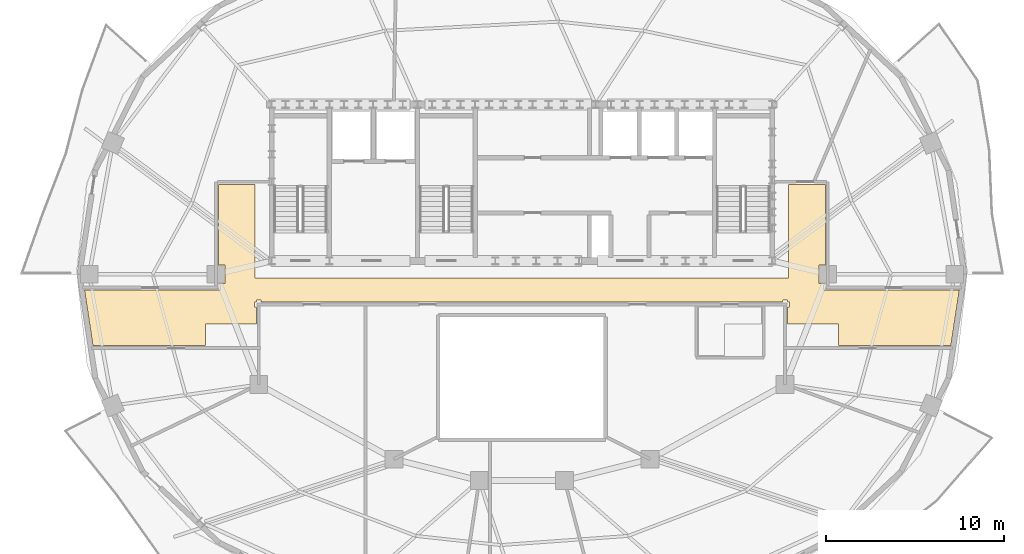
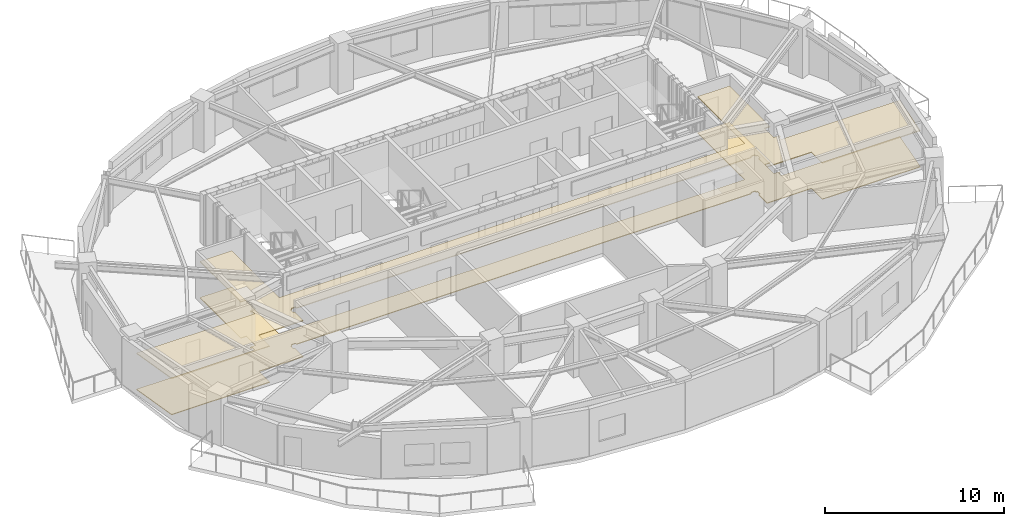
# One storey, part 7 of 9: 2 coverings.
"""IFC4 building model written with IfcOpenShell, lengths in metres."""

import ifcopenshell
import ifcopenshell.guid

model = None  # the IFC model being written
_history = None  # IfcOwnerHistory: only IFC2X3 demands one
_inside = {}  # id of a spatial element -> (the spatial element, [elements in it])
_under = {}  # id of a project, library or spatial element -> (it, [spatial elements below it])
_declared = {}  # id of a project -> (the project, [libraries it declares])
_typed = {}  # id of a type object -> (the type object, [elements of that type])
_made_of = {}  # id of a material, layer set ... -> (it, [elements and type objects made of it])


def new_model(schema):
    """Start an empty IFC model of exactly this schema.

    Asked for "IFC4X3", IfcOpenShell would pick the latest addendum, in which some entities
    have other attributes; the version numbers below select the first issue.
    IFC2X3 requires an IfcOwnerHistory on every rooted entity: one is made here for all.
    """
    global model, _history
    if schema == "IFC4X3":
        model = ifcopenshell.file(schema_version=(4, 3, 0, 0))
    else:
        model = ifcopenshell.file(schema=schema)
    _inside.clear()
    _under.clear()
    _declared.clear()
    _typed.clear()
    _made_of.clear()
    _history = None
    if model.schema == "IFC2X3":
        org = make("IfcOrganization", Name="unknown")
        user = make(
            "IfcPersonAndOrganization",
            ThePerson=make("IfcPerson", FamilyName="unknown"),
            TheOrganization=org,
        )
        app = make(
            "IfcApplication",
            ApplicationDeveloper=org,
            Version="unknown",
            ApplicationFullName="unknown",
            ApplicationIdentifier="unknown",
        )
        _history = make(
            "IfcOwnerHistory",
            OwningUser=user,
            OwningApplication=app,
            ChangeAction="ADDED",
            CreationDate=0,
        )
    return model


def make(cls, **values):
    """One entity of the class cls with the attributes given. An attribute that is None is left unset."""
    return model.create_entity(
        cls, **{name: value for name, value in values.items() if value is not None}
    )


def rooted(cls, **values):
    """An entity with a GlobalId (a new one), such as an element, a storey or a relation."""
    return make(cls, GlobalId=ifcopenshell.guid.new(), OwnerHistory=_history, **values)


def si_unit(unit_type, name, prefix=None):
    """IfcSIUnit, for example si_unit("LENGTHUNIT", "METRE", prefix="MILLI")."""
    return make("IfcSIUnit", UnitType=unit_type, Prefix=prefix, Name=name)


def assignment(units):
    """IfcUnitAssignment: the units of a project."""
    return None if units is None else make("IfcUnitAssignment", Units=units)


def point(xyz):
    """IfcCartesianPoint."""
    return None if xyz is None else make("IfcCartesianPoint", Coordinates=xyz)


def direction(xyz):
    """IfcDirection."""
    return None if xyz is None else make("IfcDirection", DirectionRatios=xyz)


def frame(location, z_axis=None, x_axis=None):
    """IfcAxis2Placement3D, a coordinate frame: its origin and axes. An axis left out is left unset."""
    return make(
        "IfcAxis2Placement3D",
        Location=point(location),
        Axis=direction(z_axis),
        RefDirection=direction(x_axis),
    )


def origin():
    """The frame at (0, 0, 0) with its axes left unset."""
    return frame((0.0, 0.0, 0.0))


def place(relative_to, where):
    """IfcLocalPlacement: puts the frame where relative to a parent placement (None: the world)."""
    return make(
        "IfcLocalPlacement", PlacementRelTo=relative_to, RelativePlacement=where
    )


def context(
    kind, dimensions, precision=None, world=None, true_north=None, identifier=None
):
    """IfcGeometricRepresentationContext, for example the 3D "Model" context."""
    return make(
        "IfcGeometricRepresentationContext",
        ContextIdentifier=identifier,
        ContextType=kind,
        CoordinateSpaceDimension=dimensions,
        Precision=precision,
        WorldCoordinateSystem=world,
        TrueNorth=true_north,
    )


def subcontext(parent, identifier, kind, view, scale=None):
    """IfcGeometricRepresentationSubContext, for example "Body" below "Model"."""
    return make(
        "IfcGeometricRepresentationSubContext",
        ContextIdentifier=identifier,
        ContextType=kind,
        ParentContext=parent,
        TargetScale=scale,
        TargetView=view,
    )


def project(units=None, contexts=None):
    """IfcProject with its units and contexts."""
    return rooted(
        "IfcProject",
        Name="project",
        RepresentationContexts=contexts,
        UnitsInContext=assignment(units),
    )


def spatial(cls, under=None, at=None, **own):
    """A site, building, storey or space (cls), placed at a placement, below another one or the project."""
    s = rooted(cls, ObjectPlacement=at, **own)
    if under is not None:
        _under.setdefault(under.id(), (under, []))[1].append(s)
    return s


def polyline(points):
    """IfcPolyline through the points."""
    return make("IfcPolyline", Points=[point(p) for p in points])


def outline(outer, holes=None, kind="AREA"):
    """IfcArbitraryClosedProfileDef: a profile drawn as a closed curve; with holes, ...WithVoids."""
    if holes is None:
        return make("IfcArbitraryClosedProfileDef", ProfileType=kind, OuterCurve=outer)
    return make(
        "IfcArbitraryProfileDefWithVoids",
        ProfileType=kind,
        OuterCurve=outer,
        InnerCurves=holes,
    )


def extrude(swept, where, along, depth):
    """IfcExtrudedAreaSolid: the profile swept, set in the frame where, extruded along a direction by depth."""
    return make(
        "IfcExtrudedAreaSolid",
        SweptArea=swept,
        Position=where,
        ExtrudedDirection=direction(along),
        Depth=depth,
    )


def shape(context_of_items, identifier, shape_type, items):
    """IfcShapeRepresentation: the items that make up one representation, for example the "Body"."""
    return make(
        "IfcShapeRepresentation",
        ContextOfItems=context_of_items,
        RepresentationIdentifier=identifier,
        RepresentationType=shape_type,
        Items=items,
    )


def material(Name=None, Category=None):
    """IfcMaterial."""
    return make("IfcMaterial", Name=Name, Category=Category)


def layer(
    of_material, thickness, ventilated=None, Name=None, Category=None, Priority=None
):
    """IfcMaterialLayer: one layer of a wall or slab, of a material (None: an air gap)."""
    return make(
        "IfcMaterialLayer",
        Material=of_material,
        LayerThickness=thickness,
        IsVentilated=ventilated,
        Name=Name,
        Category=Category,
        Priority=Priority,
    )


def layer_set(layers, Name=None):
    """IfcMaterialLayerSet."""
    return make("IfcMaterialLayerSet", MaterialLayers=layers, LayerSetName=Name)


def made_of(thing, what):
    """Note that an element or type object is made of a material, layer set ...; save() writes the relation."""
    if what is not None:
        _made_of.setdefault(what.id(), (what, []))[1].append(thing)
    return thing


def type_object(cls, material=None, **own):
    """A type object (cls), such as IfcWallType, which elements share."""
    return made_of(rooted(cls, **own), material)


def element(
    cls,
    number,
    at=None,
    inside=None,
    cuts=None,
    type_object=None,
    material=None,
    context=None,
    identifier="Body",
    shape_type=None,
    held_by="IfcProductDefinitionShape",
    body=None,
    shapes=None,
    **own,
):
    """One element of the class cls, such as IfcWall. Its Tag is "e" and its number.

    at: its placement. inside: the storey or other place that contains it. cuts: it is an
    opening in that element (IfcRelVoidsElement). A single representation is given by context,
    identifier, shape_type and body (its items); several are given by shapes. held_by: the class
    of the entity that holds the representations. save() writes the other relations.
    """
    e = rooted(cls, Tag="e%d" % number, ObjectPlacement=at, **own)
    if body is not None:
        shapes = [shape(context, identifier, shape_type, body)]
    if shapes is not None:
        e.Representation = make(held_by, Representations=shapes)
    if inside is not None:
        _inside.setdefault(inside.id(), (inside, []))[1].append(e)
    if cuts is not None:
        rooted(
            "IfcRelVoidsElement", RelatingBuildingElement=cuts, RelatedOpeningElement=e
        )
    if type_object is not None:
        _typed.setdefault(type_object.id(), (type_object, []))[1].append(e)
    return made_of(e, material)


def aggregate(whole, parts):
    """IfcRelAggregates: a whole, such as a stair, and the parts it consists of."""
    return rooted("IfcRelAggregates", RelatingObject=whole, RelatedObjects=parts)


def save(model, path):
    """Write the relations noted so far, then the file.

    IfcRelAggregates (storeys below a building ...), IfcRelContainedInSpatialStructure (elements
    in a storey), IfcRelDefinesByType, IfcRelAssociatesMaterial and IfcRelDeclares: one each for
    every whole, place, type object, material and project.
    """
    for whole, parts in _under.values():
        aggregate(whole, parts)
    for where, things in _inside.values():
        rooted(
            "IfcRelContainedInSpatialStructure",
            RelatedElements=things,
            RelatingStructure=where,
        )
    for kind, things in _typed.values():
        rooted("IfcRelDefinesByType", RelatedObjects=things, RelatingType=kind)
    for what, things in _made_of.values():
        rooted("IfcRelAssociatesMaterial", RelatedObjects=things, RelatingMaterial=what)
    for by, libraries in _declared.values():
        rooted("IfcRelDeclares", RelatingContext=by, RelatedDefinitions=libraries)
    model.write(path)


model = new_model("IFC4")

# Units and contexts
model_context = context("Model", 3, precision=1e-05, world=origin(), true_north=direction((0.0, 1.0)))
body_context = subcontext(model_context, "Body", "Model", "MODEL_VIEW")
ifc_project = project(units=[si_unit("LENGTHUNIT", "METRE"), si_unit("AREAUNIT", "SQUARE_METRE"), si_unit("VOLUMEUNIT", "CUBIC_METRE"), si_unit("PLANEANGLEUNIT", "RADIAN"), si_unit("MASSUNIT", "GRAM", prefix="KILO")], contexts=[model_context])

# Site, building, storey
site_placement = place(None, origin())
site = spatial("IfcSite", under=ifc_project, at=site_placement, CompositionType="ELEMENT")
building_placement = place(site_placement, origin())
building = spatial("IfcBuilding", under=site, at=building_placement, Name="Haldorwick Loom Tower", CompositionType="ELEMENT")
storey_placement = place(building_placement, frame((0.0, 0.0, 252.300048828125)))
storey = spatial("IfcBuildingStorey", under=building, at=storey_placement, Name="L68", CompositionType="ELEMENT", Elevation=252.300048828125)

# Coverings
ifc_material_1 = material(Name="Mineral Fibre Acoustic Ceiling Tile")
ifc_layer_1 = layer(ifc_material_1, 0.054931640625, Name="Mineral Fibre Acoustic Ceiling Tile")
ifc_layer_set_1 = layer_set([ifc_layer_1], Name="Mineral Fibre Acoustic Ceiling Tile")
covering_type_1 = type_object("IfcCoveringType", Name="ARC-COV-CEIL2", PredefinedType="CEILING", material=ifc_layer_set_1)
covering_1_placement = place(storey_placement, frame((0.0, 0.0, 2.458984375)))
element("IfcCovering", 1, at=covering_1_placement, inside=storey, type_object=covering_type_1, Name="L68 Acoustic Suspended Ceiling 1", PredefinedType="CEILING", context=body_context, shape_type="SweptSolid", body=[
    extrude(outline(polyline([(11.88037109375, 21.989990234375), (18.199951171875, 21.989990234375), (18.199951171875, 23.199951171875), (21.06005859375, 23.199951171875), (21.06005859375, 24.159912109375), (20.97998046875, 24.159912109375), (20.97802734375, 24.16015625), (20.97607421875, 24.160400390625), (20.97412109375, 24.160888671875), (20.972412109375, 24.16162109375), (20.970703125, 24.162353515625), (20.968994140625, 24.163330078125), (20.96728515625, 24.16455078125), (20.9658203125, 24.166015625), (20.964599609375, 24.167236328125), (20.96337890625, 24.1689453125), (20.96240234375, 24.170654296875), (20.96142578125, 24.17236328125), (20.9609375, 24.17431640625), (20.96044921875, 24.176025390625), (20.960205078125, 24.177978515625), (20.9599609375, 24.179931640625), (20.9599609375, 24.419921875), (20.960205078125, 24.422119140625), (20.96044921875, 24.423828125), (20.9609375, 24.42578125), (20.96142578125, 24.427734375), (20.96240234375, 24.429443359375), (20.96337890625, 24.43115234375), (20.964599609375, 24.4326171875), (20.9658203125, 24.43408203125), (20.96728515625, 24.435546875), (20.968994140625, 24.4365234375), (20.970703125, 24.4375), (20.972412109375, 24.4384765625), (20.97412109375, 24.439208984375), (20.97607421875, 24.439697265625), (20.97802734375, 24.43994140625), (20.97998046875, 24.43994140625), (21.06005859375, 24.43994140625), (21.06005859375, 24.52001953125), (21.06005859375, 24.52197265625), (21.060302734375, 24.52392578125), (21.060791015625, 24.52587890625), (21.0615234375, 24.527587890625), (21.0625, 24.529296875), (21.0634765625, 24.531005859375), (21.064453125, 24.53271484375), (21.06591796875, 24.5341796875), (21.0673828125, 24.535400390625), (21.06884765625, 24.53662109375), (21.070556640625, 24.53759765625), (21.072265625, 24.53857421875), (21.07421875, 24.5390625), (21.076171875, 24.53955078125), (21.077880859375, 24.539794921875), (21.080078125, 24.5400390625), (21.320068359375, 24.5400390625), (21.322021484375, 24.539794921875), (21.323974609375, 24.53955078125), (21.32568359375, 24.5390625), (21.32763671875, 24.53857421875), (21.329345703125, 24.53759765625), (21.3310546875, 24.53662109375), (21.332763671875, 24.535400390625), (21.333984375, 24.5341796875), (21.33544921875, 24.53271484375), (21.336669921875, 24.531005859375), (21.337646484375, 24.529296875), (21.33837890625, 24.527587890625), (21.339111328125, 24.52587890625), (21.339599609375, 24.52392578125), (21.33984375, 24.52197265625), (21.340087890625, 24.52001953125), (21.340087890625, 24.43994140625), (50.659912109375, 24.43994140625), (50.659912109375, 24.52001953125), (50.66015625, 24.52197265625), (50.660400390625, 24.52392578125), (50.660888671875, 24.52587890625), (50.66162109375, 24.527587890625), (50.662353515625, 24.529296875), (50.663330078125, 24.531005859375), (50.66455078125, 24.53271484375), (50.666015625, 24.5341796875), (50.667236328125, 24.535400390625), (50.6689453125, 24.53662109375), (50.670654296875, 24.53759765625), (50.67236328125, 24.53857421875), (50.67431640625, 24.5390625), (50.676025390625, 24.53955078125), (50.677978515625, 24.539794921875), (50.679931640625, 24.5400390625), (50.919921875, 24.5400390625), (50.922119140625, 24.539794921875), (50.923828125, 24.53955078125), (50.92578125, 24.5390625), (50.927734375, 24.53857421875), (50.929443359375, 24.53759765625), (50.93115234375, 24.53662109375), (50.9326171875, 24.535400390625), (50.93408203125, 24.5341796875), (50.935546875, 24.53271484375), (50.9365234375, 24.531005859375), (50.9375, 24.529296875), (50.9384765625, 24.527587890625), (50.939208984375, 24.52587890625), (50.939697265625, 24.52392578125), (50.93994140625, 24.52197265625), (50.93994140625, 24.52001953125), (50.93994140625, 24.43994140625), (51.02001953125, 24.43994140625), (51.02197265625, 24.43994140625), (51.02392578125, 24.439697265625), (51.02587890625, 24.439208984375), (51.027587890625, 24.4384765625), (51.029296875, 24.4375), (51.031005859375, 24.4365234375), (51.03271484375, 24.435546875), (51.0341796875, 24.43408203125), (51.035400390625, 24.4326171875), (51.03662109375, 24.43115234375), (51.03759765625, 24.429443359375), (51.03857421875, 24.427734375), (51.0390625, 24.42578125), (51.03955078125, 24.423828125), (51.039794921875, 24.422119140625), (51.0400390625, 24.419921875), (51.0400390625, 24.179931640625), (51.039794921875, 24.177978515625), (51.03955078125, 24.176025390625), (51.0390625, 24.17431640625), (51.03857421875, 24.17236328125), (51.03759765625, 24.170654296875), (51.03662109375, 24.1689453125), (51.035400390625, 24.167236328125), (51.0341796875, 24.166015625), (51.03271484375, 24.16455078125), (51.031005859375, 24.163330078125), (51.029296875, 24.162353515625), (51.027587890625, 24.16162109375), (51.02587890625, 24.160888671875), (51.02392578125, 24.160400390625), (51.02197265625, 24.16015625), (51.02001953125, 24.159912109375), (50.93994140625, 24.159912109375), (50.93994140625, 23.199951171875), (53.800048828125, 23.199951171875), (53.800048828125, 21.989990234375), (60.11962890625, 21.989990234375), (60.594482421875, 25.110107421875), (52.97998046875, 25.110107421875), (52.97802734375, 25.110107421875), (52.97607421875, 25.1103515625), (52.97412109375, 25.11083984375), (52.972412109375, 25.111572265625), (52.970703125, 25.1123046875), (52.968994140625, 25.11328125), (52.96728515625, 25.114501953125), (52.9658203125, 25.115966796875), (52.964599609375, 25.1171875), (52.96337890625, 25.118896484375), (52.96240234375, 25.12060546875), (52.96142578125, 25.122314453125), (52.9609375, 25.124267578125), (52.96044921875, 25.126220703125), (52.960205078125, 25.1279296875), (52.9599609375, 25.1298828125), (52.9599609375, 25.3701171875), (52.960205078125, 25.3720703125), (52.96044921875, 25.373779296875), (52.9609375, 25.375732421875), (52.96142578125, 25.377685546875), (52.96240234375, 25.37939453125), (52.96337890625, 25.381103515625), (52.964599609375, 25.3828125), (52.9658203125, 25.384033203125), (52.96728515625, 25.385498046875), (52.968994140625, 25.38671875), (52.970703125, 25.3876953125), (52.972412109375, 25.388427734375), (52.97412109375, 25.38916015625), (52.97607421875, 25.3896484375), (52.97802734375, 25.389892578125), (52.97998046875, 25.389892578125), (53.06005859375, 25.389892578125), (53.06005859375, 25.491943359375), (52.69189453125, 25.491943359375), (52.69189453125, 26.508056640625), (53.06005859375, 26.508056640625), (53.06005859375, 31.06005859375), (51.0, 31.06005859375), (51.0, 25.800048828125), (21.0, 25.800048828125), (21.0, 31.06005859375), (18.93994140625, 31.06005859375), (18.93994140625, 26.508056640625), (19.30810546875, 26.508056640625), (19.30810546875, 25.491943359375), (18.93994140625, 25.491943359375), (18.93994140625, 25.389892578125), (19.02001953125, 25.389892578125), (19.02197265625, 25.389892578125), (19.02392578125, 25.3896484375), (19.02587890625, 25.38916015625), (19.027587890625, 25.388427734375), (19.029296875, 25.3876953125), (19.031005859375, 25.38671875), (19.03271484375, 25.385498046875), (19.0341796875, 25.384033203125), (19.035400390625, 25.3828125), (19.03662109375, 25.381103515625), (19.03759765625, 25.37939453125), (19.03857421875, 25.377685546875), (19.0390625, 25.375732421875), (19.03955078125, 25.373779296875), (19.039794921875, 25.3720703125), (19.0400390625, 25.3701171875), (19.0400390625, 25.1298828125), (19.039794921875, 25.1279296875), (19.03955078125, 25.126220703125), (19.0390625, 25.124267578125), (19.03857421875, 25.122314453125), (19.03759765625, 25.12060546875), (19.03662109375, 25.118896484375), (19.035400390625, 25.1171875), (19.0341796875, 25.115966796875), (19.03271484375, 25.114501953125), (19.031005859375, 25.11328125), (19.029296875, 25.1123046875), (19.027587890625, 25.111572265625), (19.02587890625, 25.11083984375), (19.02392578125, 25.1103515625), (19.02197265625, 25.110107421875), (19.02001953125, 25.110107421875), (11.405517578125, 25.110107421875), (11.88037109375, 21.989990234375)])), origin(), (0.0, 0.0, 1.0), 0.054931640625),
])
ifc_material_2 = material(Name="Polished Aggregate Terrazzo Finish")
ifc_layer_2 = layer(ifc_material_2, 0.044921875, Name="Polished Aggregate Terrazzo Finish")
ifc_layer_set_2 = layer_set([ifc_layer_2], Name="Polished Aggregate Terrazzo Finish")
covering_type_2 = type_object("IfcCoveringType", Name="ARC-COV-FLOOR2", PredefinedType="FLOORING", material=ifc_layer_set_2)
covering_2_placement = place(storey_placement, origin())
element("IfcCovering", 2, at=covering_2_placement, inside=storey, type_object=covering_type_2, Name="L68 Floor Finish 1", PredefinedType="FLOORING", context=body_context, shape_type="SweptSolid", body=[
    extrude(outline(polyline([(11.88037109375, 21.989990234375), (18.199951171875, 21.989990234375), (18.199951171875, 23.199951171875), (21.06005859375, 23.199951171875), (21.06005859375, 24.159912109375), (20.97998046875, 24.159912109375), (20.97802734375, 24.16015625), (20.97607421875, 24.160400390625), (20.97412109375, 24.160888671875), (20.972412109375, 24.16162109375), (20.970703125, 24.162353515625), (20.968994140625, 24.163330078125), (20.96728515625, 24.16455078125), (20.9658203125, 24.166015625), (20.964599609375, 24.167236328125), (20.96337890625, 24.1689453125), (20.96240234375, 24.170654296875), (20.96142578125, 24.17236328125), (20.9609375, 24.17431640625), (20.96044921875, 24.176025390625), (20.960205078125, 24.177978515625), (20.9599609375, 24.179931640625), (20.9599609375, 24.419921875), (20.960205078125, 24.422119140625), (20.96044921875, 24.423828125), (20.9609375, 24.42578125), (20.96142578125, 24.427734375), (20.96240234375, 24.429443359375), (20.96337890625, 24.43115234375), (20.964599609375, 24.4326171875), (20.9658203125, 24.43408203125), (20.96728515625, 24.435546875), (20.968994140625, 24.4365234375), (20.970703125, 24.4375), (20.972412109375, 24.4384765625), (20.97412109375, 24.439208984375), (20.97607421875, 24.439697265625), (20.97802734375, 24.43994140625), (20.97998046875, 24.43994140625), (21.06005859375, 24.43994140625), (21.06005859375, 24.52001953125), (21.06005859375, 24.52197265625), (21.060302734375, 24.52392578125), (21.060791015625, 24.52587890625), (21.0615234375, 24.527587890625), (21.0625, 24.529296875), (21.0634765625, 24.531005859375), (21.064453125, 24.53271484375), (21.06591796875, 24.5341796875), (21.0673828125, 24.535400390625), (21.06884765625, 24.53662109375), (21.070556640625, 24.53759765625), (21.072265625, 24.53857421875), (21.07421875, 24.5390625), (21.076171875, 24.53955078125), (21.077880859375, 24.539794921875), (21.080078125, 24.5400390625), (21.320068359375, 24.5400390625), (21.322021484375, 24.539794921875), (21.323974609375, 24.53955078125), (21.32568359375, 24.5390625), (21.32763671875, 24.53857421875), (21.329345703125, 24.53759765625), (21.3310546875, 24.53662109375), (21.332763671875, 24.535400390625), (21.333984375, 24.5341796875), (21.33544921875, 24.53271484375), (21.336669921875, 24.531005859375), (21.337646484375, 24.529296875), (21.33837890625, 24.527587890625), (21.339111328125, 24.52587890625), (21.339599609375, 24.52392578125), (21.33984375, 24.52197265625), (21.340087890625, 24.52001953125), (21.340087890625, 24.43994140625), (50.659912109375, 24.43994140625), (50.659912109375, 24.52001953125), (50.66015625, 24.52197265625), (50.660400390625, 24.52392578125), (50.660888671875, 24.52587890625), (50.66162109375, 24.527587890625), (50.662353515625, 24.529296875), (50.663330078125, 24.531005859375), (50.66455078125, 24.53271484375), (50.666015625, 24.5341796875), (50.667236328125, 24.535400390625), (50.6689453125, 24.53662109375), (50.670654296875, 24.53759765625), (50.67236328125, 24.53857421875), (50.67431640625, 24.5390625), (50.676025390625, 24.53955078125), (50.677978515625, 24.539794921875), (50.679931640625, 24.5400390625), (50.919921875, 24.5400390625), (50.922119140625, 24.539794921875), (50.923828125, 24.53955078125), (50.92578125, 24.5390625), (50.927734375, 24.53857421875), (50.929443359375, 24.53759765625), (50.93115234375, 24.53662109375), (50.9326171875, 24.535400390625), (50.93408203125, 24.5341796875), (50.935546875, 24.53271484375), (50.9365234375, 24.531005859375), (50.9375, 24.529296875), (50.9384765625, 24.527587890625), (50.939208984375, 24.52587890625), (50.939697265625, 24.52392578125), (50.93994140625, 24.52197265625), (50.93994140625, 24.52001953125), (50.93994140625, 24.43994140625), (51.02001953125, 24.43994140625), (51.02197265625, 24.43994140625), (51.02392578125, 24.439697265625), (51.02587890625, 24.439208984375), (51.027587890625, 24.4384765625), (51.029296875, 24.4375), (51.031005859375, 24.4365234375), (51.03271484375, 24.435546875), (51.0341796875, 24.43408203125), (51.035400390625, 24.4326171875), (51.03662109375, 24.43115234375), (51.03759765625, 24.429443359375), (51.03857421875, 24.427734375), (51.0390625, 24.42578125), (51.03955078125, 24.423828125), (51.039794921875, 24.422119140625), (51.0400390625, 24.419921875), (51.0400390625, 24.179931640625), (51.039794921875, 24.177978515625), (51.03955078125, 24.176025390625), (51.0390625, 24.17431640625), (51.03857421875, 24.17236328125), (51.03759765625, 24.170654296875), (51.03662109375, 24.1689453125), (51.035400390625, 24.167236328125), (51.0341796875, 24.166015625), (51.03271484375, 24.16455078125), (51.031005859375, 24.163330078125), (51.029296875, 24.162353515625), (51.027587890625, 24.16162109375), (51.02587890625, 24.160888671875), (51.02392578125, 24.160400390625), (51.02197265625, 24.16015625), (51.02001953125, 24.159912109375), (50.93994140625, 24.159912109375), (50.93994140625, 23.199951171875), (53.800048828125, 23.199951171875), (53.800048828125, 21.989990234375), (60.11962890625, 21.989990234375), (60.594482421875, 25.110107421875), (52.97998046875, 25.110107421875), (52.97802734375, 25.110107421875), (52.97607421875, 25.1103515625), (52.97412109375, 25.11083984375), (52.972412109375, 25.111572265625), (52.970703125, 25.1123046875), (52.968994140625, 25.11328125), (52.96728515625, 25.114501953125), (52.9658203125, 25.115966796875), (52.964599609375, 25.1171875), (52.96337890625, 25.118896484375), (52.96240234375, 25.12060546875), (52.96142578125, 25.122314453125), (52.9609375, 25.124267578125), (52.96044921875, 25.126220703125), (52.960205078125, 25.1279296875), (52.9599609375, 25.1298828125), (52.9599609375, 25.3701171875), (52.960205078125, 25.3720703125), (52.96044921875, 25.373779296875), (52.9609375, 25.375732421875), (52.96142578125, 25.377685546875), (52.96240234375, 25.37939453125), (52.96337890625, 25.381103515625), (52.964599609375, 25.3828125), (52.9658203125, 25.384033203125), (52.96728515625, 25.385498046875), (52.968994140625, 25.38671875), (52.970703125, 25.3876953125), (52.972412109375, 25.388427734375), (52.97412109375, 25.38916015625), (52.97607421875, 25.3896484375), (52.97802734375, 25.389892578125), (52.97998046875, 25.389892578125), (53.06005859375, 25.389892578125), (53.06005859375, 25.491943359375), (52.69189453125, 25.491943359375), (52.69189453125, 26.508056640625), (53.06005859375, 26.508056640625), (53.06005859375, 31.06005859375), (51.0, 31.06005859375), (51.0, 25.800048828125), (21.0, 25.800048828125), (21.0, 31.06005859375), (18.93994140625, 31.06005859375), (18.93994140625, 26.508056640625), (19.30810546875, 26.508056640625), (19.30810546875, 25.491943359375), (18.93994140625, 25.491943359375), (18.93994140625, 25.389892578125), (19.02001953125, 25.389892578125), (19.02197265625, 25.389892578125), (19.02392578125, 25.3896484375), (19.02587890625, 25.38916015625), (19.027587890625, 25.388427734375), (19.029296875, 25.3876953125), (19.031005859375, 25.38671875), (19.03271484375, 25.385498046875), (19.0341796875, 25.384033203125), (19.035400390625, 25.3828125), (19.03662109375, 25.381103515625), (19.03759765625, 25.37939453125), (19.03857421875, 25.377685546875), (19.0390625, 25.375732421875), (19.03955078125, 25.373779296875), (19.039794921875, 25.3720703125), (19.0400390625, 25.3701171875), (19.0400390625, 25.1298828125), (19.039794921875, 25.1279296875), (19.03955078125, 25.126220703125), (19.0390625, 25.124267578125), (19.03857421875, 25.122314453125), (19.03759765625, 25.12060546875), (19.03662109375, 25.118896484375), (19.035400390625, 25.1171875), (19.0341796875, 25.115966796875), (19.03271484375, 25.114501953125), (19.031005859375, 25.11328125), (19.029296875, 25.1123046875), (19.027587890625, 25.111572265625), (19.02587890625, 25.11083984375), (19.02392578125, 25.1103515625), (19.02197265625, 25.110107421875), (19.02001953125, 25.110107421875), (11.405517578125, 25.110107421875), (11.88037109375, 21.989990234375)])), origin(), (0.0, 0.0, 1.0), 0.044921875),
])

save(model, "model.ifc")
